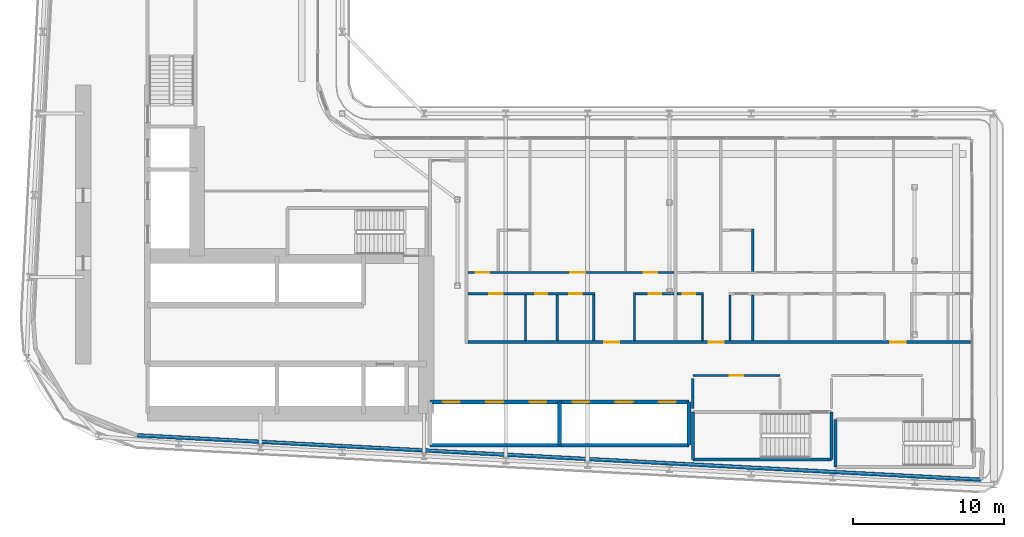
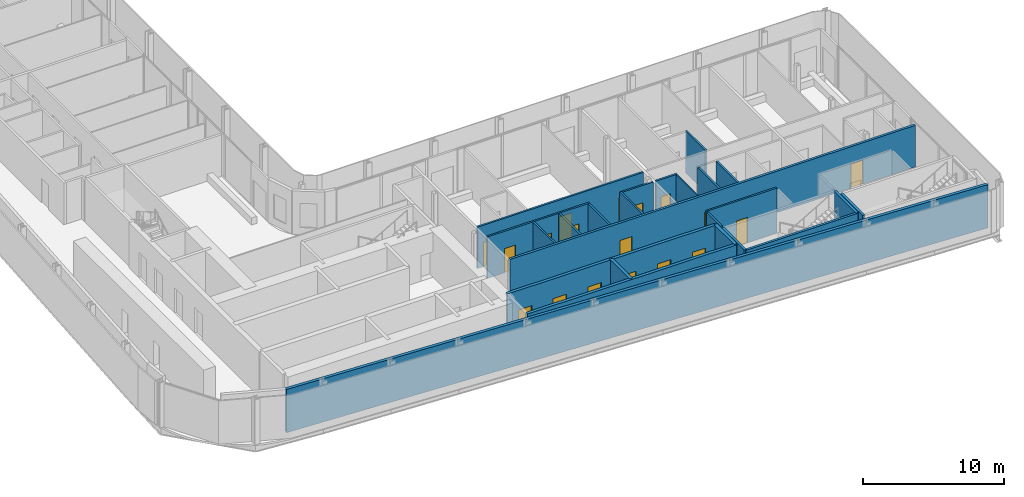
# One storey, part 13 of 25: 24 walls, 18 doors, 18 openings.
"""IFC4 building model written with IfcOpenShell, lengths in metres."""

from ifc_helpers import new_model, si_unit, direction, frame, frame_2d, origin, place, context, subcontext, project, spatial, rectangle, extrude, source, transform, mapped, material, layer, layer_set, type_object, element, fill, save


model = new_model("IFC4")

# Units and contexts
model_context = context("Model", 3, precision=1e-05, world=origin(), true_north=direction((0.0, 1.0)))
body_context = subcontext(model_context, "Body", "Model", "MODEL_VIEW")
ifc_project = project(units=[si_unit("LENGTHUNIT", "METRE"), si_unit("AREAUNIT", "SQUARE_METRE"), si_unit("VOLUMEUNIT", "CUBIC_METRE"), si_unit("PLANEANGLEUNIT", "RADIAN"), si_unit("MASSUNIT", "GRAM", prefix="KILO")], contexts=[model_context])

# Site, building, storey
site_placement = place(None, origin())
site = spatial("IfcSite", under=ifc_project, at=site_placement, CompositionType="ELEMENT")
building_placement = place(site_placement, origin())
building = spatial("IfcBuilding", under=site, at=building_placement, Name="Kheshtan School and Residences Tower", CompositionType="ELEMENT")
storey_placement = place(building_placement, frame((0.0, 0.0, 34.39990234375)))
storey = spatial("IfcBuildingStorey", under=building, at=storey_placement, Name="L07", CompositionType="ELEMENT", Elevation=34.39990234375)

# Wall, openings, doors
ifc_material_1 = material(Name="Gypsum board on steel studs with fire boards", Category="steel")
ifc_layer_1 = layer(ifc_material_1, 0.199951171875)
ifc_layer_set_1 = layer_set([ifc_layer_1], Name="Corridor wall 200")
wall_type_1 = type_object("IfcWallType", Name="Corridor wall 200", PredefinedType="PARTITIONING", material=ifc_layer_set_1)
wall_1_placement = place(storey_placement, frame((55.89990234375, 30.5, 0.0), z_axis=(0.0, 0.0, 1.0), x_axis=(1.0, 0.0, 0.0)))
wall_1 = element("IfcWall", 1, at=wall_1_placement, inside=storey, type_object=wall_type_1, Name="Partition L07-048", PredefinedType="PARTITIONING", context=body_context, shape_type="SweptSolid", body=[
    extrude(rectangle(XDim=33.2001953125, YDim=0.199951171875, at=frame_2d((16.60009765625, 0.0))), origin(), (0.0, 0.0, 1.0), 3.60009765625),
])
opening_1_placement = place(wall_1_placement, frame((9.0, 0.0, 0.0)))
opening_1 = element("IfcOpeningElement", 2, at=opening_1_placement, cuts=wall_1, Name="Opening D06-004", PredefinedType="OPENING", context=body_context, shape_type="SweptSolid", body=[
    extrude(rectangle(XDim=1.0, YDim=2.10009765625, at=frame_2d((0.5, 1.050048828125))), frame((0.0, 0.10986328125, 0.0), z_axis=(0.0, -1.0, 0.0), x_axis=(1.0, 0.0, 0.0)), (0.0, 0.0, 1.0), 0.219970703125),
])
opening_2_placement = place(wall_1_placement, frame((15.89990234375, 0.0, 0.0)))
opening_2 = element("IfcOpeningElement", 3, at=opening_2_placement, cuts=wall_1, Name="Opening D06-013", PredefinedType="OPENING", context=body_context, shape_type="SweptSolid", body=[
    extrude(rectangle(XDim=1.0, YDim=2.10009765625, at=frame_2d((0.5, 1.050048828125))), frame((0.0, 0.10986328125, 0.0), z_axis=(0.0, -1.0, 0.0), x_axis=(1.0, 0.0, 0.0)), (0.0, 0.0, 1.0), 0.219970703125),
])
opening_3_placement = place(wall_1_placement, frame((27.89990234375, 0.0, 0.0)))
opening_3 = element("IfcOpeningElement", 4, at=opening_3_placement, cuts=wall_1, Name="Opening D06-021", PredefinedType="OPENING", context=body_context, shape_type="SweptSolid", body=[
    extrude(rectangle(XDim=1.0, YDim=2.10009765625, at=frame_2d((0.5, 1.050048828125))), frame((0.0, 0.10986328125, 0.0), z_axis=(0.0, -1.0, 0.0), x_axis=(1.0, 0.0, 0.0)), (0.0, 0.0, 1.0), 0.219970703125),
])
ifc_material_2 = material(Name="Steel-framed fire-resisting door leaf", Category="steel")
door_type_1 = type_object("IfcDoorType", Name="Fire door FD30S 1000 x 2100", OperationType="SINGLE_SWING_LEFT", PredefinedType="DOOR", material=ifc_material_2)
shared_shape_1 = source(origin(), body_context, "Body", "SweptSolid", [
    extrude(rectangle(XDim=1.0, YDim=2.10009765625, at=frame_2d((0.5, 1.050048828125))), frame((0.0, 0.02490234375, 0.0), z_axis=(0.0, -1.0, 0.0), x_axis=(1.0, 0.0, 0.0)), (0.0, 0.0, 1.0), 0.050048828125),
])
door_1_placement = place(opening_1_placement, origin())
door_1 = element("IfcDoor", 5, at=door_1_placement, inside=storey, type_object=door_type_1, Name="Door D06-004", OperationType="SINGLE_SWING_LEFT", OverallHeight=2.10009765625, OverallWidth=1.0, PredefinedType="DOOR", context=body_context, shape_type="MappedRepresentation", body=[
    mapped(shared_shape_1, transform((0.0, 0.0, 0.0), x_axis=(1.0, 0.0, 0.0), y_axis=(0.0, 1.0, 0.0), z_axis=(0.0, 0.0, 1.0), scale=1.0)),
])
fill(opening_1, door_1)
door_2_placement = place(opening_2_placement, origin())
door_2 = element("IfcDoor", 6, at=door_2_placement, inside=storey, type_object=door_type_1, Name="Door D06-013", OperationType="SINGLE_SWING_LEFT", OverallHeight=2.10009765625, OverallWidth=1.0, PredefinedType="DOOR", context=body_context, shape_type="MappedRepresentation", body=[
    mapped(shared_shape_1, transform((0.0, 0.0, 0.0), x_axis=(1.0, 0.0, 0.0), y_axis=(0.0, 1.0, 0.0), z_axis=(0.0, 0.0, 1.0), scale=1.0)),
])
fill(opening_2, door_2)
door_3_placement = place(opening_3_placement, origin())
door_3 = element("IfcDoor", 7, at=door_3_placement, inside=storey, type_object=door_type_1, Name="Door D06-021", OperationType="SINGLE_SWING_LEFT", OverallHeight=2.10009765625, OverallWidth=1.0, PredefinedType="DOOR", context=body_context, shape_type="MappedRepresentation", body=[
    mapped(shared_shape_1, transform((0.0, 0.0, 0.0), x_axis=(1.0, 0.0, 0.0), y_axis=(0.0, 1.0, 0.0), z_axis=(0.0, 0.0, 1.0), scale=1.0)),
])
fill(opening_3, door_3)

# Walls
ifc_material_3 = material(Name="Concrete C40/50 with ceramic cladding and mineral wool insulation", Category="concrete")
ifc_layer_2 = layer(ifc_material_3, 0.25)
ifc_layer_set_2 = layer_set([ifc_layer_2], Name="External wall 250 ceramic clad")
wall_type_2 = type_object("IfcWallType", Name="External wall 250 ceramic clad", PredefinedType="SOLIDWALL", material=ifc_layer_set_2)
wall_2_placement = place(storey_placement, frame((89.785888671875, 21.4189453125, 0.0), z_axis=(0.0, 0.0, 1.0), x_axis=(-0.998617793089, 0.052559521752, 0.0)))
element("IfcWall", 8, at=wall_2_placement, inside=storey, type_object=wall_type_2, Name="External wall L07 16", PredefinedType="SOLIDWALL", context=body_context, shape_type="SweptSolid", body=[
    extrude(rectangle(XDim=55.823974609375, YDim=0.25, at=frame_2d((27.912109375, 0.0))), origin(), (0.0, 0.0, 1.0), 3.75),
])
ifc_material_4 = material(Name="Gypsum board on steel studs", Category="steel")
ifc_layer_3 = layer(ifc_material_4, 0.10009765625)
ifc_layer_set_3 = layer_set([ifc_layer_3], Name="Gypsum partition 100")
wall_type_3 = type_object("IfcWallType", Name="Gypsum partition 100", PredefinedType="PARTITIONING", material=ifc_layer_set_3)
wall_3_placement = place(storey_placement, frame((71.39990234375, 30.60009765625, 0.0), z_axis=(0.0, 0.0, 1.0), x_axis=(0.0, 1.0, 0.0)))
element("IfcWall", 9, at=wall_3_placement, inside=storey, type_object=wall_type_3, Name="Partition L07-063", PredefinedType="PARTITIONING", context=body_context, shape_type="SweptSolid", body=[
    extrude(rectangle(XDim=3.02490234375, YDim=0.10009765625, at=frame_2d((1.512451171875, 0.0))), origin(), (0.0, 0.0, 1.0), 3.60009765625),
])

# Wall, opening, door
ifc_material_5 = material(Name="Fire-board shaft wall system")
ifc_layer_4 = layer(ifc_material_5, 0.14990234375)
ifc_layer_set_4 = layer_set([ifc_layer_4], Name="Service room wall 150")
wall_type_4 = type_object("IfcWallType", Name="Service room wall 150", PredefinedType="PARTITIONING", material=ifc_layer_set_4)
wall_4_placement = place(storey_placement, frame((70.75, 28.300048828125, 0.0), z_axis=(0.0, 0.0, 1.0), x_axis=(1.0, 0.0, 0.0)))
wall_4 = element("IfcWall", 10, at=wall_4_placement, inside=storey, type_object=wall_type_4, Name="Service room wall", PredefinedType="PARTITIONING", context=body_context, shape_type="SweptSolid", body=[
    extrude(rectangle(XDim=5.760009765625, YDim=0.14990234375, at=frame_2d((2.8798828125, 0.0))), origin(), (0.0, 0.0, 1.0), 3.900146484375),
])
opening_4_placement = place(wall_4_placement, frame((2.429931640625, 0.0, 0.0)))
opening_4 = element("IfcOpeningElement", 11, at=opening_4_placement, cuts=wall_4, Name="Opening SR90", PredefinedType="OPENING", context=body_context, shape_type="SweptSolid", body=[
    extrude(rectangle(XDim=0.89990234375, YDim=2.199951171875, at=frame_2d((0.449951171875, 1.10009765625))), frame((0.0, 0.0849609375, 0.0), z_axis=(0.0, -1.0, 0.0), x_axis=(1.0, 0.0, 0.0)), (0.0, 0.0, 1.0), 0.169921875),
])
ifc_material_6 = material(Name="Steel door leaf, galvanised", Category="steel")
door_type_2 = type_object("IfcDoorType", Name="Service room door 900 steel 90 min", OperationType="SINGLE_SWING_LEFT", PredefinedType="DOOR", material=ifc_material_6)
shared_shape_2 = source(origin(), body_context, "Body", "SweptSolid", [
    extrude(rectangle(XDim=0.89990234375, YDim=2.199951171875, at=frame_2d((0.449951171875, 1.10009765625))), frame((0.0, 0.02490234375, 0.0), z_axis=(0.0, -1.0, 0.0), x_axis=(1.0, 0.0, 0.0)), (0.0, 0.0, 1.0), 0.050048828125),
])
door_4_placement = place(opening_4_placement, origin())
door_4 = element("IfcDoor", 12, at=door_4_placement, inside=storey, type_object=door_type_2, Name="Service room door", OperationType="SINGLE_SWING_LEFT", OverallHeight=2.199951171875, OverallWidth=0.89990234375, PredefinedType="DOOR", context=body_context, shape_type="MappedRepresentation", body=[
    mapped(shared_shape_2, transform((0.0, 0.0, 0.0), x_axis=(1.0, 0.0, 0.0), y_axis=(0.0, 1.0, 0.0), z_axis=(0.0, 0.0, 1.0), scale=1.0)),
])
fill(opening_4, door_4)

# Walls
wall_5_placement = place(storey_placement, frame((70.75, 26.1201171875, 0.0), z_axis=(0.0, 0.0, 1.0), x_axis=(0.0, 1.0, 0.0)))
element("IfcWall", 13, at=wall_5_placement, inside=storey, type_object=wall_type_4, Name="Service room wall", PredefinedType="PARTITIONING", context=body_context, shape_type="SweptSolid", body=[
    extrude(rectangle(XDim=1.98486328125, YDim=0.14990234375, at=frame_2d((0.992431640625, 0.0))), origin(), (0.0, 0.0, 1.0), 3.900146484375),
])
ifc_layer_5 = layer(ifc_material_5, 0.25)
ifc_layer_set_5 = layer_set([ifc_layer_5], Name="Shaft lining wall 250")
wall_type_5 = type_object("IfcWallType", Name="Shaft lining wall 250", PredefinedType="PARTITIONING", material=ifc_layer_set_5)
for number, where, z_axis, x_axis, name in (
    (14, (61.949951171875, 23.699951171875, 0.0), (0.0, 0.0, 1.0), (0.0, 1.0, 0.0), "Shaft lining wall"),
    (15, (70.5, 23.699951171875, 0.0), (0.0, 0.0, 1.0), (0.0, 1.0, 0.0), "Shaft lining wall"),
):
    element("IfcWall", number, at=place(storey_placement, frame(where, z_axis=z_axis, x_axis=x_axis)), inside=storey, type_object=wall_type_5, Name=name, PredefinedType="PARTITIONING", context=body_context, shape_type="SweptSolid", body=[
        extrude(rectangle(XDim=2.85009765625, YDim=0.25, at=frame_2d((1.425048828125, 0.0))), origin(), (0.0, 0.0, 1.0), 3.900146484375),
    ])
wall_6_placement = place(storey_placement, frame((53.39990234375, 23.699951171875, 0.0), z_axis=(0.0, 0.0, 1.0), x_axis=(1.0, 0.0, 0.0)))
element("IfcWall", 16, at=wall_6_placement, inside=storey, type_object=wall_type_5, Name="Shaft lining wall", PredefinedType="PARTITIONING", context=body_context, shape_type="SweptSolid", body=[
    extrude(rectangle(XDim=17.10009765625, YDim=0.25, at=frame_2d((8.550048828125, 0.0))), origin(), (0.0, 0.0, 1.0), 3.900146484375),
])

# Wall, openings, doors
wall_7_placement = place(storey_placement, frame((53.39990234375, 26.550048828125, 0.0), z_axis=(0.0, 0.0, 1.0), x_axis=(1.0, 0.0, 0.0)))
wall_7 = element("IfcWall", 17, at=wall_7_placement, inside=storey, type_object=wall_type_5, Name="Shaft lining wall", PredefinedType="PARTITIONING", context=body_context, shape_type="SweptSolid", body=[
    extrude(rectangle(XDim=17.10009765625, YDim=0.25, at=frame_2d((8.550048828125, 0.0))), origin(), (0.0, 0.0, 1.0), 3.900146484375),
])
opening_5_placement = place(wall_7_placement, frame((0.875, 0.0, 0.0)))
opening_5 = element("IfcOpeningElement", 18, at=opening_5_placement, cuts=wall_7, Name="Opening LD", PredefinedType="OPENING", context=body_context, shape_type="SweptSolid", body=[
    extrude(rectangle(XDim=1.10009765625, YDim=2.199951171875, at=frame_2d((0.550048828125, 1.10009765625))), frame((0.0, 0.135009765625, 0.0), z_axis=(0.0, -1.0, 0.0), x_axis=(1.0, 0.0, 0.0)), (0.0, 0.0, 1.0), 0.27001953125),
])
opening_6_placement = place(wall_7_placement, frame((3.72509765625, 0.0, 0.0)))
opening_6 = element("IfcOpeningElement", 19, at=opening_6_placement, cuts=wall_7, Name="Opening LD", PredefinedType="OPENING", context=body_context, shape_type="SweptSolid", body=[
    extrude(rectangle(XDim=1.10009765625, YDim=2.199951171875, at=frame_2d((0.550048828125, 1.10009765625))), frame((0.0, 0.135009765625, 0.0), z_axis=(0.0, -1.0, 0.0), x_axis=(1.0, 0.0, 0.0)), (0.0, 0.0, 1.0), 0.27001953125),
])
opening_7_placement = place(wall_7_placement, frame((6.574951171875, 0.0, 0.0)))
opening_7 = element("IfcOpeningElement", 20, at=opening_7_placement, cuts=wall_7, Name="Opening LD", PredefinedType="OPENING", context=body_context, shape_type="SweptSolid", body=[
    extrude(rectangle(XDim=1.10009765625, YDim=2.199951171875, at=frame_2d((0.550048828125, 1.10009765625))), frame((0.0, 0.135009765625, 0.0), z_axis=(0.0, -1.0, 0.0), x_axis=(1.0, 0.0, 0.0)), (0.0, 0.0, 1.0), 0.27001953125),
])
opening_8_placement = place(wall_7_placement, frame((9.425048828125, 0.0, 0.0)))
opening_8 = element("IfcOpeningElement", 21, at=opening_8_placement, cuts=wall_7, Name="Opening LD", PredefinedType="OPENING", context=body_context, shape_type="SweptSolid", body=[
    extrude(rectangle(XDim=1.10009765625, YDim=2.199951171875, at=frame_2d((0.550048828125, 1.10009765625))), frame((0.0, 0.135009765625, 0.0), z_axis=(0.0, -1.0, 0.0), x_axis=(1.0, 0.0, 0.0)), (0.0, 0.0, 1.0), 0.27001953125),
])
opening_9_placement = place(wall_7_placement, frame((12.27490234375, 0.0, 0.0)))
opening_9 = element("IfcOpeningElement", 22, at=opening_9_placement, cuts=wall_7, Name="Opening LD", PredefinedType="OPENING", context=body_context, shape_type="SweptSolid", body=[
    extrude(rectangle(XDim=1.10009765625, YDim=2.199951171875, at=frame_2d((0.550048828125, 1.10009765625))), frame((0.0, 0.135009765625, 0.0), z_axis=(0.0, -1.0, 0.0), x_axis=(1.0, 0.0, 0.0)), (0.0, 0.0, 1.0), 0.27001953125),
])
opening_10_placement = place(wall_7_placement, frame((15.125, 0.0, 0.0)))
opening_10 = element("IfcOpeningElement", 23, at=opening_10_placement, cuts=wall_7, Name="Opening LD", PredefinedType="OPENING", context=body_context, shape_type="SweptSolid", body=[
    extrude(rectangle(XDim=1.10009765625, YDim=2.199951171875, at=frame_2d((0.550048828125, 1.10009765625))), frame((0.0, 0.135009765625, 0.0), z_axis=(0.0, -1.0, 0.0), x_axis=(1.0, 0.0, 0.0)), (0.0, 0.0, 1.0), 0.27001953125),
])
ifc_material_7 = material(Name="Stainless steel door leaves", Category="steel")
door_type_3 = type_object("IfcDoorType", Name="Lift landing door 1100", OperationType="SLIDING_TO_LEFT", PredefinedType="DOOR", material=ifc_material_7)
shared_shape_3 = source(origin(), body_context, "Body", "SweptSolid", [
    extrude(rectangle(XDim=1.10009765625, YDim=2.199951171875, at=frame_2d((0.550048828125, 1.10009765625))), frame((0.0, 0.02490234375, 0.0), z_axis=(0.0, -1.0, 0.0), x_axis=(1.0, 0.0, 0.0)), (0.0, 0.0, 1.0), 0.050048828125),
])
door_5_placement = place(opening_5_placement, origin())
door_5 = element("IfcDoor", 24, at=door_5_placement, inside=storey, type_object=door_type_3, Name="Lift P1 landing door", OperationType="SLIDING_TO_LEFT", OverallHeight=2.199951171875, OverallWidth=1.10009765625, PredefinedType="DOOR", context=body_context, shape_type="MappedRepresentation", body=[
    mapped(shared_shape_3, transform((0.0, 0.0, 0.0), x_axis=(1.0, 0.0, 0.0), y_axis=(0.0, 1.0, 0.0), z_axis=(0.0, 0.0, 1.0), scale=1.0)),
])
fill(opening_5, door_5)
door_6_placement = place(opening_6_placement, origin())
door_6 = element("IfcDoor", 25, at=door_6_placement, inside=storey, type_object=door_type_3, Name="Lift P2 landing door", OperationType="SLIDING_TO_LEFT", OverallHeight=2.199951171875, OverallWidth=1.10009765625, PredefinedType="DOOR", context=body_context, shape_type="MappedRepresentation", body=[
    mapped(shared_shape_3, transform((0.0, 0.0, 0.0), x_axis=(1.0, 0.0, 0.0), y_axis=(0.0, 1.0, 0.0), z_axis=(0.0, 0.0, 1.0), scale=1.0)),
])
fill(opening_6, door_6)
door_7_placement = place(opening_7_placement, origin())
door_7 = element("IfcDoor", 26, at=door_7_placement, inside=storey, type_object=door_type_3, Name="Lift P3 landing door", OperationType="SLIDING_TO_LEFT", OverallHeight=2.199951171875, OverallWidth=1.10009765625, PredefinedType="DOOR", context=body_context, shape_type="MappedRepresentation", body=[
    mapped(shared_shape_3, transform((0.0, 0.0, 0.0), x_axis=(1.0, 0.0, 0.0), y_axis=(0.0, 1.0, 0.0), z_axis=(0.0, 0.0, 1.0), scale=1.0)),
])
fill(opening_7, door_7)
door_8_placement = place(opening_8_placement, origin())
door_8 = element("IfcDoor", 27, at=door_8_placement, inside=storey, type_object=door_type_3, Name="Lift P4 landing door", OperationType="SLIDING_TO_LEFT", OverallHeight=2.199951171875, OverallWidth=1.10009765625, PredefinedType="DOOR", context=body_context, shape_type="MappedRepresentation", body=[
    mapped(shared_shape_3, transform((0.0, 0.0, 0.0), x_axis=(1.0, 0.0, 0.0), y_axis=(0.0, 1.0, 0.0), z_axis=(0.0, 0.0, 1.0), scale=1.0)),
])
fill(opening_8, door_8)
door_9_placement = place(opening_9_placement, origin())
door_9 = element("IfcDoor", 28, at=door_9_placement, inside=storey, type_object=door_type_3, Name="Lift P5 landing door", OperationType="SLIDING_TO_LEFT", OverallHeight=2.199951171875, OverallWidth=1.10009765625, PredefinedType="DOOR", context=body_context, shape_type="MappedRepresentation", body=[
    mapped(shared_shape_3, transform((0.0, 0.0, 0.0), x_axis=(1.0, 0.0, 0.0), y_axis=(0.0, 1.0, 0.0), z_axis=(0.0, 0.0, 1.0), scale=1.0)),
])
fill(opening_9, door_9)
door_10_placement = place(opening_10_placement, origin())
door_10 = element("IfcDoor", 29, at=door_10_placement, inside=storey, type_object=door_type_3, Name="Lift P6 landing door", OperationType="SLIDING_TO_LEFT", OverallHeight=2.199951171875, OverallWidth=1.10009765625, PredefinedType="DOOR", context=body_context, shape_type="MappedRepresentation", body=[
    mapped(shared_shape_3, transform((0.0, 0.0, 0.0), x_axis=(1.0, 0.0, 0.0), y_axis=(0.0, 1.0, 0.0), z_axis=(0.0, 0.0, 1.0), scale=1.0)),
])
fill(opening_10, door_10)

# Walls
ifc_material_8 = material(Name="Concrete C40/50", Category="concrete")
ifc_layer_6 = layer(ifc_material_8, 0.199951171875)
ifc_layer_set_6 = layer_set([ifc_layer_6], Name="Stair enclosure wall 200 Concrete C40/50")
wall_type_6 = type_object("IfcWallType", Name="Stair enclosure wall 200 Concrete C40/50", PredefinedType="SHEAR", material=ifc_layer_set_6)
wall_8_placement = place(storey_placement, frame((80.159912109375, 22.25, 0.0), z_axis=(0.0, 0.0, 1.0), x_axis=(0.0, 1.0, 0.0)))
element("IfcWall", 30, at=wall_8_placement, inside=storey, type_object=wall_type_6, Name="Stair enclosure wall ST4", PredefinedType="SHEAR", context=body_context, shape_type="SweptSolid", body=[
    extrude(rectangle(XDim=3.14990234375, YDim=0.199951171875, at=frame_2d((1.574951171875, 0.0))), origin(), (0.0, 0.0, 1.0), 3.900146484375),
])
wall_9_placement = place(storey_placement, frame((70.75, 22.75, 0.0), z_axis=(0.0, 0.0, 1.0), x_axis=(1.0, 0.0, 0.0)))
element("IfcWall", 31, at=wall_9_placement, inside=storey, type_object=wall_type_6, Name="Stair enclosure wall ST5", PredefinedType="SHEAR", context=body_context, shape_type="SweptSolid", body=[
    extrude(rectangle(XDim=9.159912109375, YDim=0.199951171875, at=frame_2d((4.580078125, 0.0))), origin(), (0.0, 0.0, 1.0), 3.900146484375),
])
for number, where, z_axis, x_axis, name in (
    (32, (70.75, 22.75, 0.0), (0.0, 0.0, 1.0), (0.0, 1.0, 0.0), "Stair enclosure wall ST5"),
    (33, (79.909912109375, 22.75, 0.0), (0.0, 0.0, 1.0), (0.0, 1.0, 0.0), "Stair enclosure wall ST5"),
):
    element("IfcWall", number, at=place(storey_placement, frame(where, z_axis=z_axis, x_axis=x_axis)), inside=storey, type_object=wall_type_6, Name=name, PredefinedType="SHEAR", context=body_context, shape_type="SweptSolid", body=[
        extrude(rectangle(XDim=3.14990234375, YDim=0.199951171875, at=frame_2d((1.574951171875, 0.0))), origin(), (0.0, 0.0, 1.0), 3.900146484375),
    ])

# Wall, openings, doors
ifc_material_9 = material(Name="Moisture-resistant gypsum board on steel studs", Category="steel")
ifc_layer_7 = layer(ifc_material_9, 0.14990234375)
ifc_layer_set_7 = layer_set([ifc_layer_7], Name="Wet-room partition 150")
wall_type_7 = type_object("IfcWallType", Name="Wet-room partition 150", PredefinedType="PARTITIONING", material=ifc_layer_set_7)
wall_10_placement = place(storey_placement, frame((55.89990234375, 33.699951171875, 0.0), z_axis=(0.0, 0.0, 1.0), x_axis=(1.0, 0.0, 0.0)))
wall_10 = element("IfcWall", 34, at=wall_10_placement, inside=storey, type_object=wall_type_7, Name="Partition L07-049", PredefinedType="PARTITIONING", context=body_context, shape_type="SweptSolid", body=[
    extrude(rectangle(XDim=8.375, YDim=0.14990234375, at=frame_2d((4.1875, 0.0))), origin(), (0.0, 0.0, 1.0), 3.60009765625),
])
opening_11_placement = place(wall_10_placement, frame((1.39990234375, 0.0, 0.0)))
opening_11 = element("IfcOpeningElement", 35, at=opening_11_placement, cuts=wall_10, Name="Opening D06-005", PredefinedType="OPENING", context=body_context, shape_type="SweptSolid", body=[
    extrude(rectangle(XDim=0.89990234375, YDim=2.10009765625, at=frame_2d((0.449951171875, 1.050048828125))), frame((0.0, 0.0849609375, 0.0), z_axis=(0.0, -1.0, 0.0), x_axis=(1.0, 0.0, 0.0)), (0.0, 0.0, 1.0), 0.169921875),
])
opening_12_placement = place(wall_10_placement, frame((6.699951171875, 0.0, 0.0)))
opening_12 = element("IfcOpeningElement", 36, at=opening_12_placement, cuts=wall_10, Name="Opening D06-006", PredefinedType="OPENING", context=body_context, shape_type="SweptSolid", body=[
    extrude(rectangle(XDim=0.800048828125, YDim=2.10009765625, at=frame_2d((0.39990234375, 1.050048828125))), frame((0.0, 0.0849609375, 0.0), z_axis=(0.0, -1.0, 0.0), x_axis=(1.0, 0.0, 0.0)), (0.0, 0.0, 1.0), 0.169921875),
])
opening_13_placement = place(wall_10_placement, frame((4.449951171875, 0.0, 0.0)))
opening_13 = element("IfcOpeningElement", 37, at=opening_13_placement, cuts=wall_10, Name="Opening D06-009", PredefinedType="OPENING", context=body_context, shape_type="SweptSolid", body=[
    extrude(rectangle(XDim=0.800048828125, YDim=2.10009765625, at=frame_2d((0.39990234375, 1.050048828125))), frame((0.0, 0.0849609375, 0.0), z_axis=(0.0, -1.0, 0.0), x_axis=(1.0, 0.0, 0.0)), (0.0, 0.0, 1.0), 0.169921875),
])
ifc_material_10 = material(Name="Veneered timber door leaf", Category="wood")
door_type_4 = type_object("IfcDoorType", Name="Door 800 x 2100", OperationType="SINGLE_SWING_LEFT", PredefinedType="DOOR", material=ifc_material_10)
shared_shape_4 = source(origin(), body_context, "Body", "SweptSolid", [
    extrude(rectangle(XDim=0.800048828125, YDim=2.10009765625, at=frame_2d((0.39990234375, 1.050048828125))), frame((0.0, 0.02490234375, 0.0), z_axis=(0.0, -1.0, 0.0), x_axis=(1.0, 0.0, 0.0)), (0.0, 0.0, 1.0), 0.050048828125),
])
door_11_placement = place(opening_12_placement, origin())
door_11 = element("IfcDoor", 38, at=door_11_placement, inside=storey, type_object=door_type_4, Name="Door D06-006", OperationType="SINGLE_SWING_RIGHT", OverallHeight=2.10009765625, OverallWidth=0.800048828125, PredefinedType="DOOR", context=body_context, shape_type="MappedRepresentation", body=[
    mapped(shared_shape_4, transform((0.0, 0.0, 0.0), x_axis=(1.0, 0.0, 0.0), y_axis=(0.0, 1.0, 0.0), z_axis=(0.0, 0.0, 1.0), scale=1.0)),
])
fill(opening_12, door_11)
door_12_placement = place(opening_13_placement, origin())
door_12 = element("IfcDoor", 39, at=door_12_placement, inside=storey, type_object=door_type_4, Name="Door D06-009", OperationType="SINGLE_SWING_LEFT", OverallHeight=2.10009765625, OverallWidth=0.800048828125, PredefinedType="DOOR", context=body_context, shape_type="MappedRepresentation", body=[
    mapped(shared_shape_4, transform((0.0, 0.0, 0.0), x_axis=(1.0, 0.0, 0.0), y_axis=(0.0, 1.0, 0.0), z_axis=(0.0, 0.0, 1.0), scale=1.0)),
])
fill(opening_13, door_12)
door_type_5 = type_object("IfcDoorType", Name="Door 900 x 2100", OperationType="SINGLE_SWING_LEFT", PredefinedType="DOOR", material=ifc_material_10)
shared_shape_5 = source(origin(), body_context, "Body", "SweptSolid", [
    extrude(rectangle(XDim=0.89990234375, YDim=2.10009765625, at=frame_2d((0.449951171875, 1.050048828125))), frame((0.0, 0.02490234375, 0.0), z_axis=(0.0, -1.0, 0.0), x_axis=(1.0, 0.0, 0.0)), (0.0, 0.0, 1.0), 0.050048828125),
])
door_13_placement = place(opening_11_placement, origin())
door_13 = element("IfcDoor", 40, at=door_13_placement, inside=storey, type_object=door_type_5, Name="Door D06-005", OperationType="SINGLE_SWING_LEFT", OverallHeight=2.10009765625, OverallWidth=0.89990234375, PredefinedType="DOOR", context=body_context, shape_type="MappedRepresentation", body=[
    mapped(shared_shape_5, transform((0.0, 0.0, 0.0), x_axis=(1.0, 0.0, 0.0), y_axis=(0.0, 1.0, 0.0), z_axis=(0.0, 0.0, 1.0), scale=1.0)),
])
fill(opening_11, door_13)

wall_11_placement = place(storey_placement, frame((55.89990234375, 35.10009765625, 0.0), z_axis=(0.0, 0.0, 1.0), x_axis=(1.0, 0.0, 0.0)))
wall_11 = element("IfcWall", 41, at=wall_11_placement, inside=storey, type_object=wall_type_7, Name="Partition L07-050", PredefinedType="PARTITIONING", context=body_context, shape_type="SweptSolid", body=[
    extrude(rectangle(XDim=13.60009765625, YDim=0.14990234375, at=frame_2d((6.800048828125, 0.0))), origin(), (0.0, 0.0, 1.0), 3.60009765625),
])
opening_14_placement = place(wall_11_placement, frame((11.60009765625, 0.0, 0.0)))
opening_14 = element("IfcOpeningElement", 42, at=opening_14_placement, cuts=wall_11, Name="Opening D06-002", PredefinedType="OPENING", context=body_context, shape_type="SweptSolid", body=[
    extrude(rectangle(XDim=0.89990234375, YDim=2.10009765625, at=frame_2d((0.449951171875, 1.050048828125))), frame((0.0, 0.0849609375, 0.0), z_axis=(0.0, -1.0, 0.0), x_axis=(1.0, 0.0, 0.0)), (0.0, 0.0, 1.0), 0.169921875),
])
opening_15_placement = place(wall_11_placement, frame((6.75, 0.0, 0.0)))
opening_15 = element("IfcOpeningElement", 43, at=opening_15_placement, cuts=wall_11, Name="Opening D06-007", PredefinedType="OPENING", context=body_context, shape_type="SweptSolid", body=[
    extrude(rectangle(XDim=1.0, YDim=2.10009765625, at=frame_2d((0.5, 1.050048828125))), frame((0.0, 0.0849609375, 0.0), z_axis=(0.0, -1.0, 0.0), x_axis=(1.0, 0.0, 0.0)), (0.0, 0.0, 1.0), 0.169921875),
])
opening_16_placement = place(wall_11_placement, frame((0.5, 0.0, 0.0)))
opening_16 = element("IfcOpeningElement", 44, at=opening_16_placement, cuts=wall_11, Name="Opening D06-008", PredefinedType="OPENING", context=body_context, shape_type="SweptSolid", body=[
    extrude(rectangle(XDim=0.89990234375, YDim=2.10009765625, at=frame_2d((0.449951171875, 1.050048828125))), frame((0.0, 0.0849609375, 0.0), z_axis=(0.0, -1.0, 0.0), x_axis=(1.0, 0.0, 0.0)), (0.0, 0.0, 1.0), 0.169921875),
])
door_type_6 = type_object("IfcDoorType", Name="Door 1000 x 2100", OperationType="SINGLE_SWING_LEFT", PredefinedType="DOOR", material=ifc_material_10)
shared_shape_6 = source(origin(), body_context, "Body", "SweptSolid", [
    extrude(rectangle(XDim=1.0, YDim=2.10009765625, at=frame_2d((0.5, 1.050048828125))), frame((0.0, 0.02490234375, 0.0), z_axis=(0.0, -1.0, 0.0), x_axis=(1.0, 0.0, 0.0)), (0.0, 0.0, 1.0), 0.050048828125),
])
door_14_placement = place(opening_15_placement, origin())
door_14 = element("IfcDoor", 45, at=door_14_placement, inside=storey, type_object=door_type_6, Name="Door D06-007", OperationType="SINGLE_SWING_LEFT", OverallHeight=2.10009765625, OverallWidth=1.0, PredefinedType="DOOR", context=body_context, shape_type="MappedRepresentation", body=[
    mapped(shared_shape_6, transform((0.0, 0.0, 0.0), x_axis=(1.0, 0.0, 0.0), y_axis=(0.0, 1.0, 0.0), z_axis=(0.0, 0.0, 1.0), scale=1.0)),
])
fill(opening_15, door_14)
door_15_placement = place(opening_14_placement, origin())
door_15 = element("IfcDoor", 46, at=door_15_placement, inside=storey, type_object=door_type_5, Name="Door D06-002", OperationType="SINGLE_SWING_LEFT", OverallHeight=2.10009765625, OverallWidth=0.89990234375, PredefinedType="DOOR", context=body_context, shape_type="MappedRepresentation", body=[
    mapped(shared_shape_5, transform((0.0, 0.0, 0.0), x_axis=(1.0, 0.0, 0.0), y_axis=(0.0, 1.0, 0.0), z_axis=(0.0, 0.0, 1.0), scale=1.0)),
])
fill(opening_14, door_15)
door_16_placement = place(opening_16_placement, origin())
door_16 = element("IfcDoor", 47, at=door_16_placement, inside=storey, type_object=door_type_5, Name="Door D06-008", OperationType="SINGLE_SWING_RIGHT", OverallHeight=2.10009765625, OverallWidth=0.89990234375, PredefinedType="DOOR", context=body_context, shape_type="MappedRepresentation", body=[
    mapped(shared_shape_5, transform((0.0, 0.0, 0.0), x_axis=(1.0, 0.0, 0.0), y_axis=(0.0, 1.0, 0.0), z_axis=(0.0, 0.0, 1.0), scale=1.0)),
])
fill(opening_16, door_16)

# Walls
for number, where, z_axis, x_axis, name in (
    (48, (59.699951171875, 30.60009765625, 0.0), (0.0, 0.0, 1.0), (0.0, 1.0, 0.0), "Partition L07-053"),
    (49, (61.800048828125, 30.60009765625, 0.0), (0.0, 0.0, 1.0), (0.0, 1.0, 0.0), "Partition L07-055"),
    (50, (64.199951171875, 30.60009765625, 0.0), (0.0, 0.0, 1.0), (0.0, 1.0, 0.0), "Partition L07-056"),
):
    element("IfcWall", number, at=place(storey_placement, frame(where, z_axis=z_axis, x_axis=x_axis)), inside=storey, type_object=wall_type_7, Name=name, PredefinedType="PARTITIONING", context=body_context, shape_type="SweptSolid", body=[
        extrude(rectangle(XDim=3.02490234375, YDim=0.14990234375, at=frame_2d((1.512451171875, 0.0))), origin(), (0.0, 0.0, 1.0), 3.60009765625),
    ])
wall_12_placement = place(storey_placement, frame((66.89990234375, 30.60009765625, 0.0), z_axis=(0.0, 0.0, 1.0), x_axis=(0.0, 1.0, 0.0)))
element("IfcWall", 51, at=wall_12_placement, inside=storey, type_object=wall_type_7, Name="Partition L07-058", PredefinedType="PARTITIONING", context=body_context, shape_type="SweptSolid", body=[
    extrude(rectangle(XDim=3.1748046875, YDim=0.14990234375, at=frame_2d((1.58740234375, 0.0))), origin(), (0.0, 0.0, 1.0), 3.60009765625),
])

# Wall, opening, door
wall_13_placement = place(storey_placement, frame((66.97509765625, 33.699951171875, 0.0), z_axis=(0.0, 0.0, 1.0), x_axis=(1.0, 0.0, 0.0)))
wall_13 = element("IfcWall", 52, at=wall_13_placement, inside=storey, type_object=wall_type_7, Name="Partition L07-059", PredefinedType="PARTITIONING", context=body_context, shape_type="SweptSolid", body=[
    extrude(rectangle(XDim=2.52490234375, YDim=0.14990234375, at=frame_2d((1.262451171875, 0.0))), origin(), (0.0, 0.0, 1.0), 3.60009765625),
])
opening_17_placement = place(wall_13_placement, frame((0.875, 0.0, 0.0)))
opening_17 = element("IfcOpeningElement", 53, at=opening_17_placement, cuts=wall_13, Name="Opening D06-001", PredefinedType="OPENING", context=body_context, shape_type="SweptSolid", body=[
    extrude(rectangle(XDim=0.800048828125, YDim=2.10009765625, at=frame_2d((0.39990234375, 1.050048828125))), frame((0.0, 0.0849609375, 0.0), z_axis=(0.0, -1.0, 0.0), x_axis=(1.0, 0.0, 0.0)), (0.0, 0.0, 1.0), 0.169921875),
])
door_17_placement = place(opening_17_placement, origin())
door_17 = element("IfcDoor", 54, at=door_17_placement, inside=storey, type_object=door_type_4, Name="Door D06-001", OperationType="SINGLE_SWING_RIGHT", OverallHeight=2.10009765625, OverallWidth=0.800048828125, PredefinedType="DOOR", context=body_context, shape_type="MappedRepresentation", body=[
    mapped(shared_shape_4, transform((0.0, 0.0, 0.0), x_axis=(1.0, 0.0, 0.0), y_axis=(0.0, 1.0, 0.0), z_axis=(0.0, 0.0, 1.0), scale=1.0)),
])
fill(opening_17, door_17)

wall_14_placement = place(storey_placement, frame((69.699951171875, 33.699951171875, 0.0), z_axis=(0.0, 0.0, 1.0), x_axis=(1.0, 0.0, 0.0)))
wall_14 = element("IfcWall", 55, at=wall_14_placement, inside=storey, type_object=wall_type_7, Name="Partition L07-061", PredefinedType="PARTITIONING", context=body_context, shape_type="SweptSolid", body=[
    extrude(rectangle(XDim=1.75, YDim=0.14990234375, at=frame_2d((0.875, 0.0))), origin(), (0.0, 0.0, 1.0), 3.60009765625),
])
opening_18_placement = place(wall_14_placement, frame((0.39990234375, 0.0, 0.0)))
opening_18 = element("IfcOpeningElement", 56, at=opening_18_placement, cuts=wall_14, Name="Opening D06-017", PredefinedType="OPENING", context=body_context, shape_type="SweptSolid", body=[
    extrude(rectangle(XDim=0.800048828125, YDim=2.10009765625, at=frame_2d((0.39990234375, 1.050048828125))), frame((0.0, 0.0849609375, 0.0), z_axis=(0.0, -1.0, 0.0), x_axis=(1.0, 0.0, 0.0)), (0.0, 0.0, 1.0), 0.169921875),
])
door_18_placement = place(opening_18_placement, origin())
door_18 = element("IfcDoor", 57, at=door_18_placement, inside=storey, type_object=door_type_4, Name="Door D06-017", OperationType="SINGLE_SWING_LEFT", OverallHeight=2.10009765625, OverallWidth=0.800048828125, PredefinedType="DOOR", context=body_context, shape_type="MappedRepresentation", body=[
    mapped(shared_shape_4, transform((0.0, 0.0, 0.0), x_axis=(1.0, 0.0, 0.0), y_axis=(0.0, 1.0, 0.0), z_axis=(0.0, 0.0, 1.0), scale=1.0)),
])
fill(opening_18, door_18)

# Walls
for number, where, z_axis, x_axis, name in (
    (58, (73.199951171875, 30.60009765625, 0.0), (0.0, 0.0, 1.0), (0.0, 1.0, 0.0), "Partition L07-067"),
    (59, (74.699951171875, 30.60009765625, 0.0), (0.0, 0.0, 1.0), (0.0, 1.0, 0.0), "Partition L07-068"),
):
    element("IfcWall", number, at=place(storey_placement, frame(where, z_axis=z_axis, x_axis=x_axis)), inside=storey, type_object=wall_type_7, Name=name, PredefinedType="PARTITIONING", context=body_context, shape_type="SweptSolid", body=[
        extrude(rectangle(XDim=3.02490234375, YDim=0.14990234375, at=frame_2d((1.512451171875, 0.0))), origin(), (0.0, 0.0, 1.0), 3.60009765625),
    ])
wall_15_placement = place(storey_placement, frame((74.699951171875, 35.175048828125, 0.0), z_axis=(0.0, 0.0, 1.0), x_axis=(0.0, 1.0, 0.0)))
element("IfcWall", 60, at=wall_15_placement, inside=storey, type_object=wall_type_7, Name="Partition L07-069", PredefinedType="PARTITIONING", context=body_context, shape_type="SweptSolid", body=[
    extrude(rectangle(XDim=2.800048828125, YDim=0.14990234375, at=frame_2d((1.39990234375, 0.0))), origin(), (0.0, 0.0, 1.0), 3.60009765625),
])

save(model, "model.ifc")
